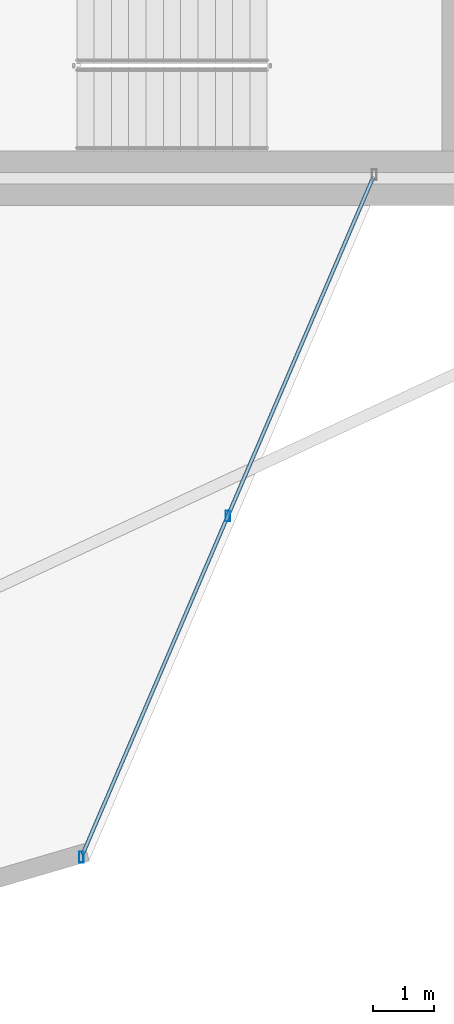
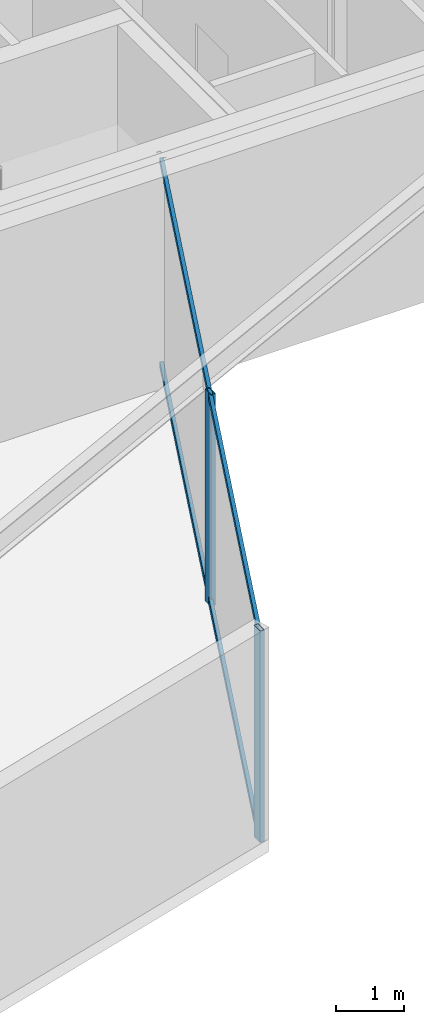
# One storey, part 11 of 27: 4 members, 1 element without a shape of its own.
"""IFC4 building model written with IfcOpenShell, lengths in metres."""

import ifcopenshell
import ifcopenshell.guid

model = None  # the IFC model being written
_history = None  # IfcOwnerHistory: only IFC2X3 demands one
_inside = {}  # id of a spatial element -> (the spatial element, [elements in it])
_under = {}  # id of a project, library or spatial element -> (it, [spatial elements below it])
_declared = {}  # id of a project -> (the project, [libraries it declares])
_typed = {}  # id of a type object -> (the type object, [elements of that type])
_made_of = {}  # id of a material, layer set ... -> (it, [elements and type objects made of it])


def new_model(schema):
    """Start an empty IFC model of exactly this schema.

    Asked for "IFC4X3", IfcOpenShell would pick the latest addendum, in which some entities
    have other attributes; the version numbers below select the first issue.
    IFC2X3 requires an IfcOwnerHistory on every rooted entity: one is made here for all.
    """
    global model, _history
    if schema == "IFC4X3":
        model = ifcopenshell.file(schema_version=(4, 3, 0, 0))
    else:
        model = ifcopenshell.file(schema=schema)
    _inside.clear()
    _under.clear()
    _declared.clear()
    _typed.clear()
    _made_of.clear()
    _history = None
    if model.schema == "IFC2X3":
        org = make("IfcOrganization", Name="unknown")
        user = make(
            "IfcPersonAndOrganization",
            ThePerson=make("IfcPerson", FamilyName="unknown"),
            TheOrganization=org,
        )
        app = make(
            "IfcApplication",
            ApplicationDeveloper=org,
            Version="unknown",
            ApplicationFullName="unknown",
            ApplicationIdentifier="unknown",
        )
        _history = make(
            "IfcOwnerHistory",
            OwningUser=user,
            OwningApplication=app,
            ChangeAction="ADDED",
            CreationDate=0,
        )
    return model


def make(cls, **values):
    """One entity of the class cls with the attributes given. An attribute that is None is left unset."""
    return model.create_entity(
        cls, **{name: value for name, value in values.items() if value is not None}
    )


def rooted(cls, **values):
    """An entity with a GlobalId (a new one), such as an element, a storey or a relation."""
    return make(cls, GlobalId=ifcopenshell.guid.new(), OwnerHistory=_history, **values)


def si_unit(unit_type, name, prefix=None):
    """IfcSIUnit, for example si_unit("LENGTHUNIT", "METRE", prefix="MILLI")."""
    return make("IfcSIUnit", UnitType=unit_type, Prefix=prefix, Name=name)


def assignment(units):
    """IfcUnitAssignment: the units of a project."""
    return None if units is None else make("IfcUnitAssignment", Units=units)


def point(xyz):
    """IfcCartesianPoint."""
    return None if xyz is None else make("IfcCartesianPoint", Coordinates=xyz)


def direction(xyz):
    """IfcDirection."""
    return None if xyz is None else make("IfcDirection", DirectionRatios=xyz)


def frame(location, z_axis=None, x_axis=None):
    """IfcAxis2Placement3D, a coordinate frame: its origin and axes. An axis left out is left unset."""
    return make(
        "IfcAxis2Placement3D",
        Location=point(location),
        Axis=direction(z_axis),
        RefDirection=direction(x_axis),
    )


def frame_2d(location, x_axis=None):
    """IfcAxis2Placement2D, a coordinate frame in the plane: its origin and x axis."""
    return make(
        "IfcAxis2Placement2D", Location=point(location), RefDirection=direction(x_axis)
    )


def origin():
    """The frame at (0, 0, 0) with its axes left unset."""
    return frame((0.0, 0.0, 0.0))


def origin_2d():
    """The frame at (0, 0) in the plane with its x axis left unset."""
    return frame_2d((0.0, 0.0))


def place(relative_to, where):
    """IfcLocalPlacement: puts the frame where relative to a parent placement (None: the world)."""
    return make(
        "IfcLocalPlacement", PlacementRelTo=relative_to, RelativePlacement=where
    )


def context(
    kind, dimensions, precision=None, world=None, true_north=None, identifier=None
):
    """IfcGeometricRepresentationContext, for example the 3D "Model" context."""
    return make(
        "IfcGeometricRepresentationContext",
        ContextIdentifier=identifier,
        ContextType=kind,
        CoordinateSpaceDimension=dimensions,
        Precision=precision,
        WorldCoordinateSystem=world,
        TrueNorth=true_north,
    )


def subcontext(parent, identifier, kind, view, scale=None):
    """IfcGeometricRepresentationSubContext, for example "Body" below "Model"."""
    return make(
        "IfcGeometricRepresentationSubContext",
        ContextIdentifier=identifier,
        ContextType=kind,
        ParentContext=parent,
        TargetScale=scale,
        TargetView=view,
    )


def project(units=None, contexts=None):
    """IfcProject with its units and contexts."""
    return rooted(
        "IfcProject",
        Name="project",
        RepresentationContexts=contexts,
        UnitsInContext=assignment(units),
    )


def spatial(cls, under=None, at=None, **own):
    """A site, building, storey or space (cls), placed at a placement, below another one or the project."""
    s = rooted(cls, ObjectPlacement=at, **own)
    if under is not None:
        _under.setdefault(under.id(), (under, []))[1].append(s)
    return s


def profile(cls, at=None, kind="AREA", **sizes):
    """A parametric profile (cls). Its sizes go by their IFC names, for example OverallWidth=200.0."""
    return make(cls, ProfileType=kind, Position=at, **sizes)


def hollow_rectangle(**sizes):
    """IfcRectangleHollowProfileDef."""
    return profile("IfcRectangleHollowProfileDef", **sizes)


def extrude(swept, where, along, depth):
    """IfcExtrudedAreaSolid: the profile swept, set in the frame where, extruded along a direction by depth."""
    return make(
        "IfcExtrudedAreaSolid",
        SweptArea=swept,
        Position=where,
        ExtrudedDirection=direction(along),
        Depth=depth,
    )


def shape(context_of_items, identifier, shape_type, items):
    """IfcShapeRepresentation: the items that make up one representation, for example the "Body"."""
    return make(
        "IfcShapeRepresentation",
        ContextOfItems=context_of_items,
        RepresentationIdentifier=identifier,
        RepresentationType=shape_type,
        Items=items,
    )


def material(Name=None, Category=None):
    """IfcMaterial."""
    return make("IfcMaterial", Name=Name, Category=Category)


def layer(
    of_material, thickness, ventilated=None, Name=None, Category=None, Priority=None
):
    """IfcMaterialLayer: one layer of a wall or slab, of a material (None: an air gap)."""
    return make(
        "IfcMaterialLayer",
        Material=of_material,
        LayerThickness=thickness,
        IsVentilated=ventilated,
        Name=Name,
        Category=Category,
        Priority=Priority,
    )


def layer_set(layers, Name=None):
    """IfcMaterialLayerSet."""
    return make("IfcMaterialLayerSet", MaterialLayers=layers, LayerSetName=Name)


def material_profile(
    of_material, cross_section, Name=None, Category=None, Priority=None
):
    """IfcMaterialProfile: a cross section and its material."""
    return make(
        "IfcMaterialProfile",
        Name=Name,
        Material=of_material,
        Profile=cross_section,
        Priority=Priority,
        Category=Category,
    )


def profile_set(profiles, Name=None, composite=None):
    """IfcMaterialProfileSet."""
    return make(
        "IfcMaterialProfileSet",
        Name=Name,
        MaterialProfiles=profiles,
        CompositeProfile=composite,
    )


def made_of(thing, what):
    """Note that an element or type object is made of a material, layer set ...; save() writes the relation."""
    if what is not None:
        _made_of.setdefault(what.id(), (what, []))[1].append(thing)
    return thing


def type_object(cls, material=None, **own):
    """A type object (cls), such as IfcWallType, which elements share."""
    return made_of(rooted(cls, **own), material)


def element(
    cls,
    number,
    at=None,
    inside=None,
    cuts=None,
    type_object=None,
    material=None,
    context=None,
    identifier="Body",
    shape_type=None,
    held_by="IfcProductDefinitionShape",
    body=None,
    shapes=None,
    **own,
):
    """One element of the class cls, such as IfcWall. Its Tag is "e" and its number.

    at: its placement. inside: the storey or other place that contains it. cuts: it is an
    opening in that element (IfcRelVoidsElement). A single representation is given by context,
    identifier, shape_type and body (its items); several are given by shapes. held_by: the class
    of the entity that holds the representations. save() writes the other relations.
    """
    e = rooted(cls, Tag="e%d" % number, ObjectPlacement=at, **own)
    if body is not None:
        shapes = [shape(context, identifier, shape_type, body)]
    if shapes is not None:
        e.Representation = make(held_by, Representations=shapes)
    if inside is not None:
        _inside.setdefault(inside.id(), (inside, []))[1].append(e)
    if cuts is not None:
        rooted(
            "IfcRelVoidsElement", RelatingBuildingElement=cuts, RelatedOpeningElement=e
        )
    if type_object is not None:
        _typed.setdefault(type_object.id(), (type_object, []))[1].append(e)
    return made_of(e, material)


def aggregate(whole, parts):
    """IfcRelAggregates: a whole, such as a stair, and the parts it consists of."""
    return rooted("IfcRelAggregates", RelatingObject=whole, RelatedObjects=parts)


def save(model, path):
    """Write the relations noted so far, then the file.

    IfcRelAggregates (storeys below a building ...), IfcRelContainedInSpatialStructure (elements
    in a storey), IfcRelDefinesByType, IfcRelAssociatesMaterial and IfcRelDeclares: one each for
    every whole, place, type object, material and project.
    """
    for whole, parts in _under.values():
        aggregate(whole, parts)
    for where, things in _inside.values():
        rooted(
            "IfcRelContainedInSpatialStructure",
            RelatedElements=things,
            RelatingStructure=where,
        )
    for kind, things in _typed.values():
        rooted("IfcRelDefinesByType", RelatedObjects=things, RelatingType=kind)
    for what, things in _made_of.values():
        rooted("IfcRelAssociatesMaterial", RelatedObjects=things, RelatingMaterial=what)
    for by, libraries in _declared.values():
        rooted("IfcRelDeclares", RelatingContext=by, RelatedDefinitions=libraries)
    model.write(path)


model = new_model("IFC4")

# Units and contexts
model_context = context("Model", 3, precision=1e-05, world=origin(), true_north=direction((0.0, 1.0)))
body_context = subcontext(model_context, "Body", "Model", "MODEL_VIEW")
ifc_project = project(units=[si_unit("LENGTHUNIT", "METRE"), si_unit("AREAUNIT", "SQUARE_METRE"), si_unit("VOLUMEUNIT", "CUBIC_METRE"), si_unit("PLANEANGLEUNIT", "RADIAN"), si_unit("MASSUNIT", "GRAM", prefix="KILO")], contexts=[model_context])

# Site, building, storey
site_placement = place(None, origin())
site = spatial("IfcSite", under=ifc_project, at=site_placement, CompositionType="ELEMENT")
building_placement = place(site_placement, origin())
building = spatial("IfcBuilding", under=site, at=building_placement, Name="Veymaron Broadcast Tower", CompositionType="ELEMENT")
storey_placement = place(building_placement, frame((0.0, 0.0, 86.39990234375)))
storey = spatial("IfcBuildingStorey", under=building, at=storey_placement, Name="L19", CompositionType="ELEMENT", Elevation=86.39990234375)

# Curtain wall, members
ifc_material_1 = material(Name="Anodised aluminium AA 6063-T6 and laminated low-E dark glass", Category="aluminium")
ifc_layer = layer(ifc_material_1, 0.179931640625)
ifc_layer_set = layer_set([ifc_layer], Name="Anodised aluminium AA 6063-T6 and laminated low-E dark glass")
curtain_wall_type = type_object("IfcCurtainWallType", Name="CW-SYS-02", PredefinedType="NOTDEFINED", material=ifc_layer_set)
curtain_wall_placement = place(storey_placement, origin())
curtain_wall = element("IfcCurtainWall", 1, at=curtain_wall_placement, inside=storey, type_object=curtain_wall_type, Name="L19 dark-glass curtain wall CW-L19-E1-1", PredefinedType="NOTDEFINED")
ifc_material_2 = material(Name="Anodised aluminium AA 6063-T6", Category="aluminium")
ifc_material_profile_1 = material_profile(ifc_material_2, hollow_rectangle(XDim=0.074951171875, YDim=0.179931640625, WallThickness=0.0048828125, at=origin_2d()), Name="AL180X75X5")
ifc_profile_set_1 = profile_set([ifc_material_profile_1], Name="Anodised aluminium AA 6063-T6")
member_type_1 = type_object("IfcMemberType", Name="CW-MUL-02", PredefinedType="MULLION", material=ifc_profile_set_1)
member_1_placement = place(storey_placement, frame((41.505615234375, 4.819091796875, 0.0), z_axis=(0.0, 0.0, 1.0), x_axis=(1.0, 0.0, 0.0)))
member_1 = element("IfcMember", 2, at=member_1_placement, type_object=member_type_1, Name="CW-L19-E1-1 mullion 0", PredefinedType="MULLION", context=body_context, shape_type="SweptSolid", body=[
    extrude(hollow_rectangle(XDim=0.074951171875, YDim=0.179931640625, WallThickness=0.0048828125, at=origin_2d()), origin(), (0.0, 0.0, 1.0), 3.81005859375),
])
member_2_placement = place(storey_placement, frame((43.916748046875, 10.437255859375, 0.0), z_axis=(0.0, 0.0, 1.0), x_axis=(1.0, 0.0, 0.0)))
member_2 = element("IfcMember", 3, at=member_2_placement, type_object=member_type_1, Name="CW-L19-E1-1 mullion 1", PredefinedType="MULLION", context=body_context, shape_type="SweptSolid", body=[
    extrude(hollow_rectangle(XDim=0.074951171875, YDim=0.179931640625, WallThickness=0.0048828125, at=origin_2d()), origin(), (0.0, 0.0, 1.0), 3.81005859375),
])
ifc_material_profile_2 = material_profile(ifc_material_2, hollow_rectangle(XDim=0.06005859375, YDim=0.1201171875, WallThickness=0.00390625, at=origin_2d()), Name="AL120X60X4")
ifc_profile_set_2 = profile_set([ifc_material_profile_2], Name="Anodised aluminium AA 6063-T6")
member_type_2 = type_object("IfcMemberType", Name="CW-TRN-02", PredefinedType="USERDEFINED", material=ifc_profile_set_2)
member_3_placement = place(storey_placement, frame((41.525146484375, 4.864990234375, 0.070068359375), z_axis=(0.394395458898, 0.918940815287, 0.0), x_axis=(-0.918940815287, 0.394395458898, 0.0)))
member_3 = element("IfcMember", 4, at=member_3_placement, type_object=member_type_2, Name="CW-L19-E1-1 transom B", ObjectType="TRANSOM", PredefinedType="USERDEFINED", context=body_context, shape_type="SweptSolid", body=[
    extrude(hollow_rectangle(XDim=0.06005859375, YDim=0.1201171875, WallThickness=0.00390625, at=origin_2d()), origin(), (0.0, 0.0, 1.0), 12.127197265625),
])
member_4_placement = place(storey_placement, frame((41.525146484375, 4.864990234375, 3.739990234375), z_axis=(0.394395458898, 0.918940815287, 0.0), x_axis=(-0.918940815287, 0.394395458898, 0.0)))
member_4 = element("IfcMember", 5, at=member_4_placement, type_object=member_type_2, Name="CW-L19-E1-1 transom T", ObjectType="TRANSOM", PredefinedType="USERDEFINED", context=body_context, shape_type="SweptSolid", body=[
    extrude(hollow_rectangle(XDim=0.06005859375, YDim=0.1201171875, WallThickness=0.00390625, at=origin_2d()), origin(), (0.0, 0.0, 1.0), 12.127197265625),
])
aggregate(curtain_wall, [member_1, member_2, member_3, member_4])

save(model, "model.ifc")
